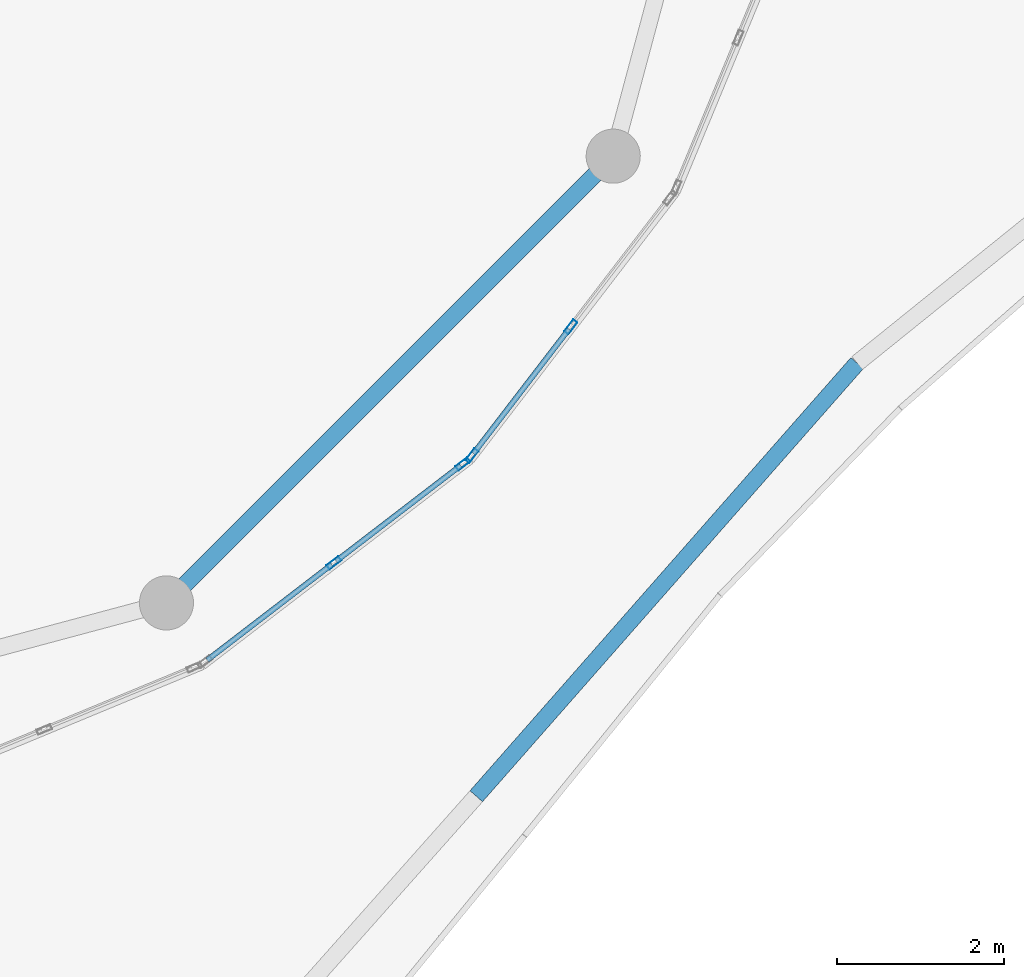
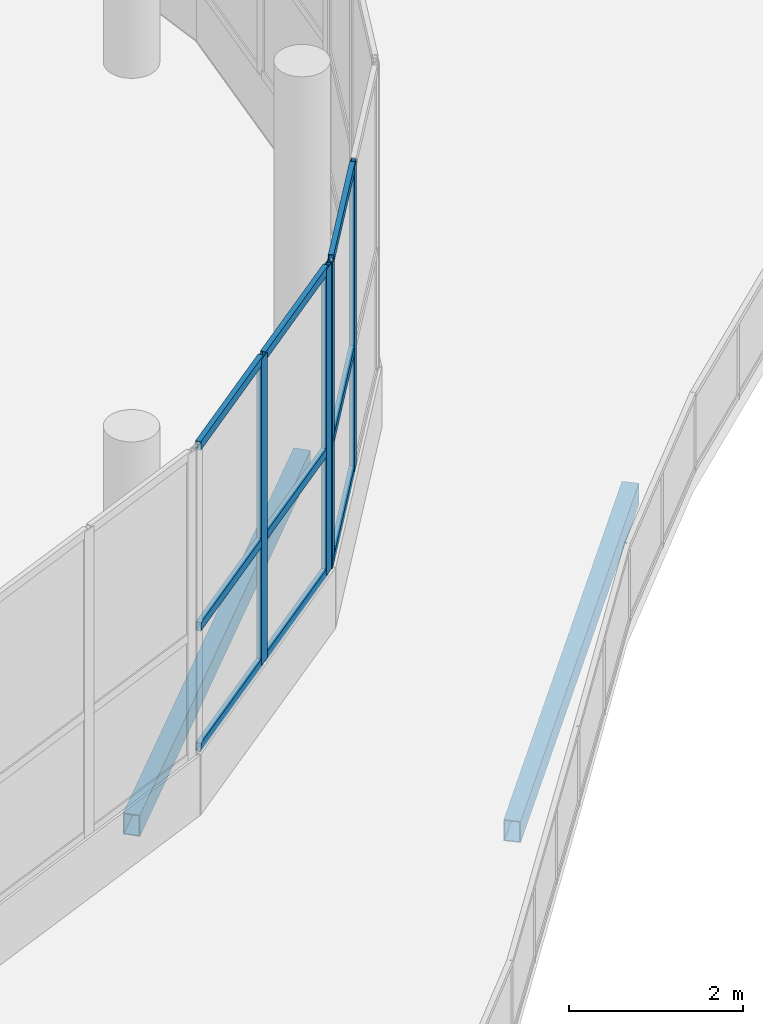
# One storey, part 8 of 101: 13 members, 2 beams, 2 elements without a shape of their own.
"""IFC4 building model written with IfcOpenShell, lengths in metres."""

import ifcopenshell
import ifcopenshell.guid

model = None  # the IFC model being written
_history = None  # IfcOwnerHistory: only IFC2X3 demands one
_inside = {}  # id of a spatial element -> (the spatial element, [elements in it])
_under = {}  # id of a project, library or spatial element -> (it, [spatial elements below it])
_declared = {}  # id of a project -> (the project, [libraries it declares])
_typed = {}  # id of a type object -> (the type object, [elements of that type])
_made_of = {}  # id of a material, layer set ... -> (it, [elements and type objects made of it])


def new_model(schema):
    """Start an empty IFC model of exactly this schema.

    Asked for "IFC4X3", IfcOpenShell would pick the latest addendum, in which some entities
    have other attributes; the version numbers below select the first issue.
    IFC2X3 requires an IfcOwnerHistory on every rooted entity: one is made here for all.
    """
    global model, _history
    if schema == "IFC4X3":
        model = ifcopenshell.file(schema_version=(4, 3, 0, 0))
    else:
        model = ifcopenshell.file(schema=schema)
    _inside.clear()
    _under.clear()
    _declared.clear()
    _typed.clear()
    _made_of.clear()
    _history = None
    if model.schema == "IFC2X3":
        org = make("IfcOrganization", Name="unknown")
        user = make(
            "IfcPersonAndOrganization",
            ThePerson=make("IfcPerson", FamilyName="unknown"),
            TheOrganization=org,
        )
        app = make(
            "IfcApplication",
            ApplicationDeveloper=org,
            Version="unknown",
            ApplicationFullName="unknown",
            ApplicationIdentifier="unknown",
        )
        _history = make(
            "IfcOwnerHistory",
            OwningUser=user,
            OwningApplication=app,
            ChangeAction="ADDED",
            CreationDate=0,
        )
    return model


def make(cls, **values):
    """One entity of the class cls with the attributes given. An attribute that is None is left unset."""
    return model.create_entity(
        cls, **{name: value for name, value in values.items() if value is not None}
    )


def rooted(cls, **values):
    """An entity with a GlobalId (a new one), such as an element, a storey or a relation."""
    return make(cls, GlobalId=ifcopenshell.guid.new(), OwnerHistory=_history, **values)


def si_unit(unit_type, name, prefix=None):
    """IfcSIUnit, for example si_unit("LENGTHUNIT", "METRE", prefix="MILLI")."""
    return make("IfcSIUnit", UnitType=unit_type, Prefix=prefix, Name=name)


def assignment(units):
    """IfcUnitAssignment: the units of a project."""
    return None if units is None else make("IfcUnitAssignment", Units=units)


def point(xyz):
    """IfcCartesianPoint."""
    return None if xyz is None else make("IfcCartesianPoint", Coordinates=xyz)


def direction(xyz):
    """IfcDirection."""
    return None if xyz is None else make("IfcDirection", DirectionRatios=xyz)


def frame(location, z_axis=None, x_axis=None):
    """IfcAxis2Placement3D, a coordinate frame: its origin and axes. An axis left out is left unset."""
    return make(
        "IfcAxis2Placement3D",
        Location=point(location),
        Axis=direction(z_axis),
        RefDirection=direction(x_axis),
    )


def frame_2d(location, x_axis=None):
    """IfcAxis2Placement2D, a coordinate frame in the plane: its origin and x axis."""
    return make(
        "IfcAxis2Placement2D", Location=point(location), RefDirection=direction(x_axis)
    )


def origin():
    """The frame at (0, 0, 0) with its axes left unset."""
    return frame((0.0, 0.0, 0.0))


def origin_2d():
    """The frame at (0, 0) in the plane with its x axis left unset."""
    return frame_2d((0.0, 0.0))


def place(relative_to, where):
    """IfcLocalPlacement: puts the frame where relative to a parent placement (None: the world)."""
    return make(
        "IfcLocalPlacement", PlacementRelTo=relative_to, RelativePlacement=where
    )


def context(
    kind, dimensions, precision=None, world=None, true_north=None, identifier=None
):
    """IfcGeometricRepresentationContext, for example the 3D "Model" context."""
    return make(
        "IfcGeometricRepresentationContext",
        ContextIdentifier=identifier,
        ContextType=kind,
        CoordinateSpaceDimension=dimensions,
        Precision=precision,
        WorldCoordinateSystem=world,
        TrueNorth=true_north,
    )


def subcontext(parent, identifier, kind, view, scale=None):
    """IfcGeometricRepresentationSubContext, for example "Body" below "Model"."""
    return make(
        "IfcGeometricRepresentationSubContext",
        ContextIdentifier=identifier,
        ContextType=kind,
        ParentContext=parent,
        TargetScale=scale,
        TargetView=view,
    )


def project(units=None, contexts=None):
    """IfcProject with its units and contexts."""
    return rooted(
        "IfcProject",
        Name="project",
        RepresentationContexts=contexts,
        UnitsInContext=assignment(units),
    )


def spatial(cls, under=None, at=None, **own):
    """A site, building, storey or space (cls), placed at a placement, below another one or the project."""
    s = rooted(cls, ObjectPlacement=at, **own)
    if under is not None:
        _under.setdefault(under.id(), (under, []))[1].append(s)
    return s


def profile(cls, at=None, kind="AREA", **sizes):
    """A parametric profile (cls). Its sizes go by their IFC names, for example OverallWidth=200.0."""
    return make(cls, ProfileType=kind, Position=at, **sizes)


def hollow_rectangle(**sizes):
    """IfcRectangleHollowProfileDef."""
    return profile("IfcRectangleHollowProfileDef", **sizes)


def extrude(swept, where, along, depth):
    """IfcExtrudedAreaSolid: the profile swept, set in the frame where, extruded along a direction by depth."""
    return make(
        "IfcExtrudedAreaSolid",
        SweptArea=swept,
        Position=where,
        ExtrudedDirection=direction(along),
        Depth=depth,
    )


def shape(context_of_items, identifier, shape_type, items):
    """IfcShapeRepresentation: the items that make up one representation, for example the "Body"."""
    return make(
        "IfcShapeRepresentation",
        ContextOfItems=context_of_items,
        RepresentationIdentifier=identifier,
        RepresentationType=shape_type,
        Items=items,
    )


def material(Name=None, Category=None):
    """IfcMaterial."""
    return make("IfcMaterial", Name=Name, Category=Category)


def material_profile(
    of_material, cross_section, Name=None, Category=None, Priority=None
):
    """IfcMaterialProfile: a cross section and its material."""
    return make(
        "IfcMaterialProfile",
        Name=Name,
        Material=of_material,
        Profile=cross_section,
        Priority=Priority,
        Category=Category,
    )


def profile_set(profiles, Name=None, composite=None):
    """IfcMaterialProfileSet."""
    return make(
        "IfcMaterialProfileSet",
        Name=Name,
        MaterialProfiles=profiles,
        CompositeProfile=composite,
    )


def made_of(thing, what):
    """Note that an element or type object is made of a material, layer set ...; save() writes the relation."""
    if what is not None:
        _made_of.setdefault(what.id(), (what, []))[1].append(thing)
    return thing


def type_object(cls, material=None, **own):
    """A type object (cls), such as IfcWallType, which elements share."""
    return made_of(rooted(cls, **own), material)


def element(
    cls,
    number,
    at=None,
    inside=None,
    cuts=None,
    type_object=None,
    material=None,
    context=None,
    identifier="Body",
    shape_type=None,
    held_by="IfcProductDefinitionShape",
    body=None,
    shapes=None,
    **own,
):
    """One element of the class cls, such as IfcWall. Its Tag is "e" and its number.

    at: its placement. inside: the storey or other place that contains it. cuts: it is an
    opening in that element (IfcRelVoidsElement). A single representation is given by context,
    identifier, shape_type and body (its items); several are given by shapes. held_by: the class
    of the entity that holds the representations. save() writes the other relations.
    """
    e = rooted(cls, Tag="e%d" % number, ObjectPlacement=at, **own)
    if body is not None:
        shapes = [shape(context, identifier, shape_type, body)]
    if shapes is not None:
        e.Representation = make(held_by, Representations=shapes)
    if inside is not None:
        _inside.setdefault(inside.id(), (inside, []))[1].append(e)
    if cuts is not None:
        rooted(
            "IfcRelVoidsElement", RelatingBuildingElement=cuts, RelatedOpeningElement=e
        )
    if type_object is not None:
        _typed.setdefault(type_object.id(), (type_object, []))[1].append(e)
    return made_of(e, material)


def aggregate(whole, parts):
    """IfcRelAggregates: a whole, such as a stair, and the parts it consists of."""
    return rooted("IfcRelAggregates", RelatingObject=whole, RelatedObjects=parts)


def save(model, path):
    """Write the relations noted so far, then the file.

    IfcRelAggregates (storeys below a building ...), IfcRelContainedInSpatialStructure (elements
    in a storey), IfcRelDefinesByType, IfcRelAssociatesMaterial and IfcRelDeclares: one each for
    every whole, place, type object, material and project.
    """
    for whole, parts in _under.values():
        aggregate(whole, parts)
    for where, things in _inside.values():
        rooted(
            "IfcRelContainedInSpatialStructure",
            RelatedElements=things,
            RelatingStructure=where,
        )
    for kind, things in _typed.values():
        rooted("IfcRelDefinesByType", RelatedObjects=things, RelatingType=kind)
    for what, things in _made_of.values():
        rooted("IfcRelAssociatesMaterial", RelatedObjects=things, RelatingMaterial=what)
    for by, libraries in _declared.values():
        rooted("IfcRelDeclares", RelatingContext=by, RelatedDefinitions=libraries)
    model.write(path)


model = new_model("IFC4")

# Units and contexts
model_context = context("Model", 3, precision=1e-05, world=origin(), true_north=direction((0.0, 1.0)))
body_context = subcontext(model_context, "Body", "Model", "MODEL_VIEW")
ifc_project = project(units=[si_unit("LENGTHUNIT", "METRE"), si_unit("AREAUNIT", "SQUARE_METRE"), si_unit("VOLUMEUNIT", "CUBIC_METRE"), si_unit("PLANEANGLEUNIT", "RADIAN"), si_unit("MASSUNIT", "GRAM", prefix="KILO")], contexts=[model_context])

# Site, building, storey
site_placement = place(None, origin())
site = spatial("IfcSite", under=ifc_project, at=site_placement, CompositionType="ELEMENT")
building_placement = place(site_placement, origin())
building = spatial("IfcBuilding", under=site, at=building_placement, Name="Selatvlak General Hospital", CompositionType="ELEMENT")
storey_placement = place(building_placement, frame((0.0, 0.0, 19.199951171875)))
storey = spatial("IfcBuildingStorey", under=building, at=storey_placement, Name="L04", CompositionType="ELEMENT", Elevation=19.199951171875)

# Beams
ifc_material_1 = material(Name="Steel S355", Category="steel")
ifc_material_profile_1 = material_profile(ifc_material_1, hollow_rectangle(XDim=0.199951171875, YDim=0.300048828125, WallThickness=0.011962890625, at=origin_2d()), Name="RHS 300x200x12")
ifc_profile_set_1 = profile_set([ifc_material_profile_1], Name="Steel S355")
beam_type = type_object("IfcBeamType", Name="BM-SP3", PredefinedType="SPANDREL", material=ifc_profile_set_1)
beam_1_placement = place(storey_placement, frame((105.324951171875, 41.31298828125, -0.454833984375), z_axis=(0.707106781187, 0.707106781187, 0.0), x_axis=(-0.707106781187, 0.707106781187, 0.0)))
element("IfcBeam", 1, at=beam_1_placement, inside=storey, type_object=beam_type, Name="Beam BMR-L04-1796", PredefinedType="SPANDREL", context=body_context, shape_type="SweptSolid", body=[
    extrude(hollow_rectangle(XDim=0.199951171875, YDim=0.300048828125, WallThickness=0.011962890625, at=origin_2d()), origin(), (0.0, 0.0, 1.0), 7.5830078125),
])
beam_2_placement = place(storey_placement, frame((109.04296875, 38.992919921875, -0.43994140625), z_axis=(0.660377453115, 0.750933831584, 0.0), x_axis=(-0.750933831584, 0.660377453115, 0.0)))
element("IfcBeam", 2, at=beam_2_placement, inside=storey, type_object=beam_type, Name="Beam BMR-L04-1846", PredefinedType="SPANDREL", context=body_context, shape_type="SweptSolid", body=[
    extrude(hollow_rectangle(XDim=0.199951171875, YDim=0.300048828125, WallThickness=0.011962890625, at=origin_2d()), origin(), (0.0, 0.0, 1.0), 6.92333984375),
])

# Curtain wall, members
ifc_material_2 = material(Name="Solar-control Low-E double glazing", Category="glass")
curtain_wall_type_1 = type_object("IfcCurtainWallType", Name="CW-CW-04", PredefinedType="USERDEFINED", material=ifc_material_2)
curtain_wall_1_placement = place(storey_placement, origin())
curtain_wall_1 = element("IfcCurtainWall", 3, at=curtain_wall_1_placement, inside=storey, type_object=curtain_wall_type_1, Name="Glazed facade curtain wall CW-L04-0521", ObjectType="STICK GLAZING WALL", PredefinedType="USERDEFINED")
ifc_material_3 = material(Name="Dark anodised aluminium mullion", Category="aluminium")
ifc_material_profile_2 = material_profile(ifc_material_3, hollow_rectangle(XDim=0.06494140625, YDim=0.179931640625, WallThickness=0.00439453125, at=origin_2d()), Name="AL-MUL 65x180x4.5")
ifc_profile_set_2 = profile_set([ifc_material_profile_2], Name="Dark anodised aluminium mullion")
member_type_1 = type_object("IfcMemberType", Name="CWM-02", PredefinedType="MULLION", material=ifc_profile_set_2)
member_1_placement = place(storey_placement, frame((110.177490234375, 44.6259765625, 0.85009765625), z_axis=(0.0, 0.0, 1.0), x_axis=(0.793232853917, -0.608918417743, 0.0)))
member_1 = element("IfcMember", 4, at=member_1_placement, type_object=member_type_1, Name="CW-04 mullion 2", PredefinedType="MULLION", context=body_context, shape_type="SweptSolid", body=[
    extrude(hollow_rectangle(XDim=0.06494140625, YDim=0.179931640625, WallThickness=0.00439453125, at=origin_2d()), origin(), (0.0, 0.0, 1.0), 4.300048828125),
])
member_2_placement = place(storey_placement, frame((108.98974609375, 43.078857421875, 0.85009765625), z_axis=(0.0, 0.0, 1.0), x_axis=(0.793232853917, -0.608918417743, 0.0)))
member_2 = element("IfcMember", 5, at=member_2_placement, type_object=member_type_1, Name="CW-04 mullion 3", PredefinedType="MULLION", context=body_context, shape_type="SweptSolid", body=[
    extrude(hollow_rectangle(XDim=0.06494140625, YDim=0.179931640625, WallThickness=0.00439453125, at=origin_2d()), origin(), (0.0, 0.0, 1.0), 4.300048828125),
])

curtain_wall_type_2 = type_object("IfcCurtainWallType", Name="CW-CW-05", PredefinedType="USERDEFINED", material=ifc_material_2)
curtain_wall_2_placement = place(storey_placement, origin())
curtain_wall_2 = element("IfcCurtainWall", 6, at=curtain_wall_2_placement, inside=storey, type_object=curtain_wall_type_2, Name="Glazed facade curtain wall CW-L04-0522", ObjectType="STICK GLAZING WALL", PredefinedType="USERDEFINED")
member_3_placement = place(storey_placement, frame((108.88330078125, 42.982177734375, 0.85009765625), z_axis=(0.0, 0.0, 1.0), x_axis=(0.608918417743, -0.793232853917, 0.0)))
member_3 = element("IfcMember", 7, at=member_3_placement, type_object=member_type_1, Name="CW-05 mullion 1", PredefinedType="MULLION", context=body_context, shape_type="SweptSolid", body=[
    extrude(hollow_rectangle(XDim=0.06494140625, YDim=0.179931640625, WallThickness=0.00439453125, at=origin_2d()), origin(), (0.0, 0.0, 1.0), 4.300048828125),
])
member_4_placement = place(storey_placement, frame((107.3359375, 41.79443359375, 0.85009765625), z_axis=(0.0, 0.0, 1.0), x_axis=(0.608918417743, -0.793232853917, 0.0)))
member_4 = element("IfcMember", 8, at=member_4_placement, type_object=member_type_1, Name="CW-05 mullion 2", PredefinedType="MULLION", context=body_context, shape_type="SweptSolid", body=[
    extrude(hollow_rectangle(XDim=0.06494140625, YDim=0.179931640625, WallThickness=0.00439453125, at=origin_2d()), origin(), (0.0, 0.0, 1.0), 4.300048828125),
])

# Member
ifc_material_profile_3 = material_profile(ifc_material_3, hollow_rectangle(XDim=0.06494140625, YDim=0.1201171875, WallThickness=0.00390625, at=origin_2d()), Name="AL-TRN 65x120x4")
ifc_profile_set_3 = profile_set([ifc_material_profile_3], Name="Dark anodised aluminium mullion")
member_type_2 = type_object("IfcMemberType", Name="CWT-01", PredefinedType="USERDEFINED", material=ifc_profile_set_3)
member_5_placement = place(storey_placement, frame((110.15771484375, 44.600341796875, 0.882568359375), z_axis=(-0.608890787968, -0.793254062913, 0.0), x_axis=(0.793254062913, -0.608890787968, 0.0)))
member_5 = element("IfcMember", 9, at=member_5_placement, type_object=member_type_2, Name="CW-04 transom 2.1", ObjectType="TRANSOM", PredefinedType="USERDEFINED", context=body_context, shape_type="SweptSolid", body=[
    extrude(hollow_rectangle(XDim=0.06494140625, YDim=0.1201171875, WallThickness=0.00390625, at=origin_2d()), origin(), (0.0, 0.0, 1.0), 1.8857421875),
])

member_6_placement = place(storey_placement, frame((110.15771484375, 44.600341796875, 2.574951171875), z_axis=(-0.608890787968, -0.793254062913, 0.0), x_axis=(0.793254062913, -0.608890787968, 0.0)))
member_6 = element("IfcMember", 10, at=member_6_placement, type_object=member_type_2, Name="CW-04 transom 2.2", ObjectType="TRANSOM", PredefinedType="USERDEFINED", context=body_context, shape_type="SweptSolid", body=[
    extrude(hollow_rectangle(XDim=0.06494140625, YDim=0.1201171875, WallThickness=0.00390625, at=origin_2d()), origin(), (0.0, 0.0, 1.0), 1.8857421875),
])

member_7_placement = place(storey_placement, frame((110.15771484375, 44.600341796875, 5.117431640625), z_axis=(-0.608890787968, -0.793254062913, 0.0), x_axis=(0.793254062913, -0.608890787968, 0.0)))
member_7 = element("IfcMember", 11, at=member_7_placement, type_object=member_type_2, Name="CW-04 transom 2.3", ObjectType="TRANSOM", PredefinedType="USERDEFINED", context=body_context, shape_type="SweptSolid", body=[
    extrude(hollow_rectangle(XDim=0.06494140625, YDim=0.1201171875, WallThickness=0.00390625, at=origin_2d()), origin(), (0.0, 0.0, 1.0), 1.8857421875),
])

aggregate(curtain_wall_1, [member_1, member_2, member_5, member_6, member_7])

member_8_placement = place(storey_placement, frame((108.857421875, 42.96240234375, 0.882568359375), z_axis=(-0.793206055297, -0.608953326487, 0.0), x_axis=(0.608953326487, -0.793206055297, 0.0)))
member_8 = element("IfcMember", 12, at=member_8_placement, type_object=member_type_2, Name="CW-05 transom 1.1", ObjectType="TRANSOM", PredefinedType="USERDEFINED", context=body_context, shape_type="SweptSolid", body=[
    extrude(hollow_rectangle(XDim=0.06494140625, YDim=0.1201171875, WallThickness=0.00390625, at=origin_2d()), origin(), (0.0, 0.0, 1.0), 1.885498046875),
])

member_9_placement = place(storey_placement, frame((108.857421875, 42.96240234375, 2.574951171875), z_axis=(-0.793206055297, -0.608953326487, 0.0), x_axis=(0.608953326487, -0.793206055297, 0.0)))
member_9 = element("IfcMember", 13, at=member_9_placement, type_object=member_type_2, Name="CW-05 transom 1.2", ObjectType="TRANSOM", PredefinedType="USERDEFINED", context=body_context, shape_type="SweptSolid", body=[
    extrude(hollow_rectangle(XDim=0.06494140625, YDim=0.1201171875, WallThickness=0.00390625, at=origin_2d()), origin(), (0.0, 0.0, 1.0), 1.885498046875),
])

member_10_placement = place(storey_placement, frame((108.857421875, 42.96240234375, 5.117431640625), z_axis=(-0.793206055297, -0.608953326487, 0.0), x_axis=(0.608953326487, -0.793206055297, 0.0)))
member_10 = element("IfcMember", 14, at=member_10_placement, type_object=member_type_2, Name="CW-05 transom 1.3", ObjectType="TRANSOM", PredefinedType="USERDEFINED", context=body_context, shape_type="SweptSolid", body=[
    extrude(hollow_rectangle(XDim=0.06494140625, YDim=0.1201171875, WallThickness=0.00390625, at=origin_2d()), origin(), (0.0, 0.0, 1.0), 1.885498046875),
])

member_11_placement = place(storey_placement, frame((107.310302734375, 41.774658203125, 0.882568359375), z_axis=(-0.793254062913, -0.608890787968, 0.0), x_axis=(0.608890787968, -0.793254062913, 0.0)))
member_11 = element("IfcMember", 15, at=member_11_placement, type_object=member_type_2, Name="CW-05 transom 2.1", ObjectType="TRANSOM", PredefinedType="USERDEFINED", context=body_context, shape_type="SweptSolid", body=[
    extrude(hollow_rectangle(XDim=0.06494140625, YDim=0.1201171875, WallThickness=0.00390625, at=origin_2d()), origin(), (0.0, 0.0, 1.0), 1.8857421875),
])

member_12_placement = place(storey_placement, frame((107.310302734375, 41.774658203125, 2.574951171875), z_axis=(-0.793254062913, -0.608890787968, 0.0), x_axis=(0.608890787968, -0.793254062913, 0.0)))
member_12 = element("IfcMember", 16, at=member_12_placement, type_object=member_type_2, Name="CW-05 transom 2.2", ObjectType="TRANSOM", PredefinedType="USERDEFINED", context=body_context, shape_type="SweptSolid", body=[
    extrude(hollow_rectangle(XDim=0.06494140625, YDim=0.1201171875, WallThickness=0.00390625, at=origin_2d()), origin(), (0.0, 0.0, 1.0), 1.8857421875),
])

member_13_placement = place(storey_placement, frame((107.310302734375, 41.774658203125, 5.117431640625), z_axis=(-0.793254062913, -0.608890787968, 0.0), x_axis=(0.608890787968, -0.793254062913, 0.0)))
member_13 = element("IfcMember", 17, at=member_13_placement, type_object=member_type_2, Name="CW-05 transom 2.3", ObjectType="TRANSOM", PredefinedType="USERDEFINED", context=body_context, shape_type="SweptSolid", body=[
    extrude(hollow_rectangle(XDim=0.06494140625, YDim=0.1201171875, WallThickness=0.00390625, at=origin_2d()), origin(), (0.0, 0.0, 1.0), 1.8857421875),
])

aggregate(curtain_wall_2, [member_3, member_4, member_8, member_9, member_10, member_11, member_12, member_13])

save(model, "model.ifc")
